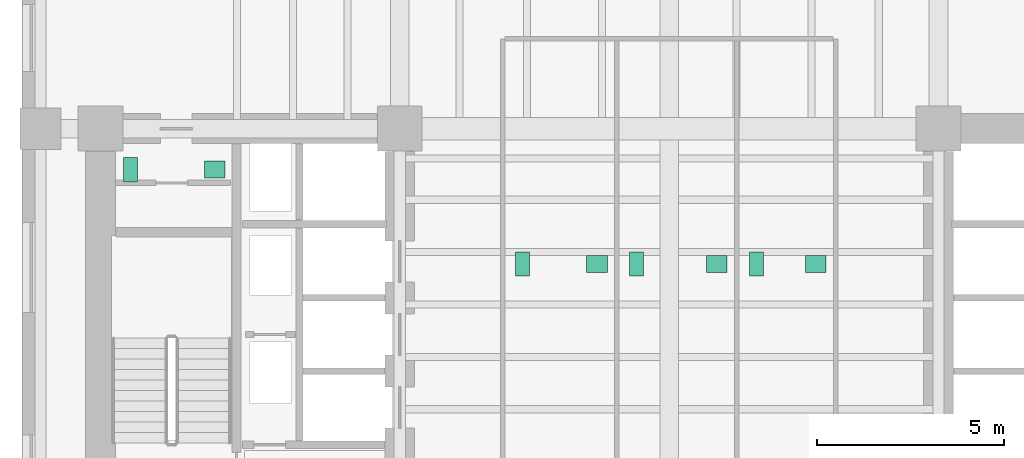
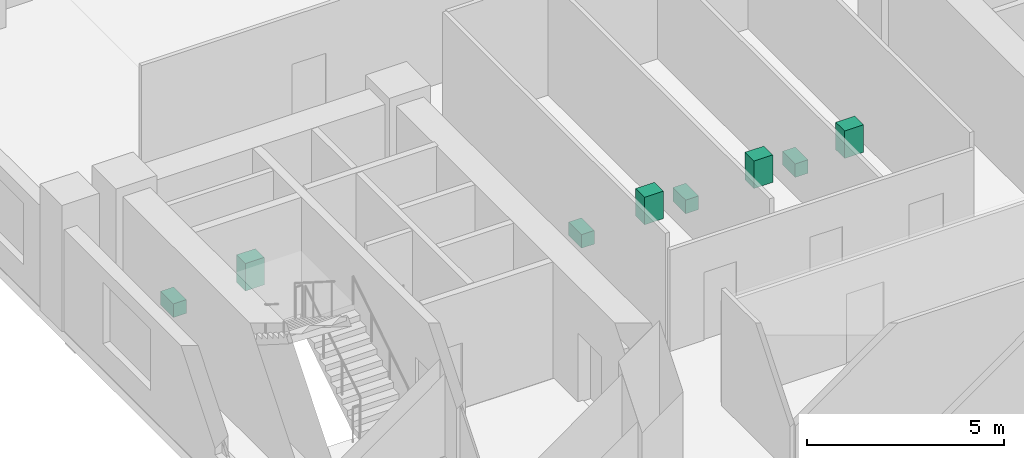
# One storey, part 9 of 9: 8 sanitary terminals.
"""IFC4 building model written with IfcOpenShell, lengths in metres."""

from ifc_helpers import new_model, si_unit, direction, frame, origin, origin_2d, place, context, subcontext, project, spatial, rectangle, extrude, material, type_object, element, save


model = new_model("IFC4")

# Units and contexts
model_context = context("Model", 3, precision=1e-05, world=origin(), true_north=direction((0.0, 1.0)))
body_context = subcontext(model_context, "Body", "Model", "MODEL_VIEW")
ifc_project = project(units=[si_unit("LENGTHUNIT", "METRE"), si_unit("AREAUNIT", "SQUARE_METRE"), si_unit("VOLUMEUNIT", "CUBIC_METRE"), si_unit("PLANEANGLEUNIT", "RADIAN"), si_unit("MASSUNIT", "GRAM", prefix="KILO")], contexts=[model_context])

# Site, building, storey
site_placement = place(None, origin())
site = spatial("IfcSite", under=ifc_project, at=site_placement, CompositionType="ELEMENT")
building_placement = place(site_placement, origin())
building = spatial("IfcBuilding", under=site, at=building_placement, Name="Kranthara Brick Stack", CompositionType="ELEMENT")
storey_placement = place(building_placement, frame((0.0, 0.0, 51.60009765625)))
storey = spatial("IfcBuildingStorey", under=building, at=storey_placement, Name="L12", CompositionType="ELEMENT", Elevation=51.60009765625)

# Sanitary terminals
ifc_material_1 = material(Name="Vitreous china sanitary porcelain", Category="other")
sanitary_terminal_type_1 = type_object("IfcSanitaryTerminalType", Name="SAN-BASIN", PredefinedType="WASHHANDBASIN", material=ifc_material_1)
for number, where, z_axis, x_axis, name in (
    (1, (15.85009765625, 32.5048828125, -0.000244140625), (0.0, 0.0, 1.0), (1.0, 0.0, 0.0), "L12 Washbasin 35"),
    (2, (26.070068359375, 29.985107421875, -0.000244140625), (0.0, 0.0, 1.0), (1.0, 0.0, 0.0), "L12 Washbasin 36"),
    (3, (29.27001953125, 29.985107421875, -0.000244140625), (0.0, 0.0, 1.0), (1.0, 0.0, 0.0), "L12 Washbasin 37"),
    (4, (31.919921875, 29.985107421875, -0.000244140625), (0.0, 0.0, 1.0), (1.0, 0.0, 0.0), "L12 Washbasin 38"),
):
    element("IfcSanitaryTerminal", number, at=place(storey_placement, frame(where, z_axis=z_axis, x_axis=x_axis)), inside=storey, type_object=sanitary_terminal_type_1, Name=name, PredefinedType="WASHHANDBASIN", context=body_context, shape_type="SweptSolid", body=[
        extrude(rectangle(XDim=0.550048828125, YDim=0.449951171875, at=origin_2d()), origin(), (0.0, 0.0, 1.0), 0.85009765625),
    ])
ifc_material_2 = material(Name="Vitreous china sanitary porcelain", Category="other")
sanitary_terminal_type_2 = type_object("IfcSanitaryTerminalType", Name="SAN-WC-PAN", PredefinedType="TOILETPAN", material=ifc_material_2)
for number, where, z_axis, x_axis, name in (
    (5, (13.60009765625, 32.5048828125, 0.0), (0.0, 0.0, 1.0), (1.0, 0.0, 0.0), "L12 WC Pan 35"),
    (6, (24.080078125, 29.985107421875, 0.0), (0.0, 0.0, 1.0), (1.0, 0.0, 0.0), "L12 WC Pan 36"),
    (7, (27.1298828125, 29.985107421875, 0.0), (0.0, 0.0, 1.0), (1.0, 0.0, 0.0), "L12 WC Pan 37"),
    (8, (30.330078125, 29.985107421875, 0.0), (0.0, 0.0, 1.0), (1.0, 0.0, 0.0), "L12 WC Pan 38"),
):
    element("IfcSanitaryTerminal", number, at=place(storey_placement, frame(where, z_axis=z_axis, x_axis=x_axis)), inside=storey, type_object=sanitary_terminal_type_2, Name=name, PredefinedType="TOILETPAN", context=body_context, shape_type="SweptSolid", body=[
        extrude(rectangle(XDim=0.3798828125, YDim=0.64990234375, at=origin_2d()), origin(), (0.0, 0.0, 1.0), 0.419921875),
    ])

save(model, "model.ifc")
